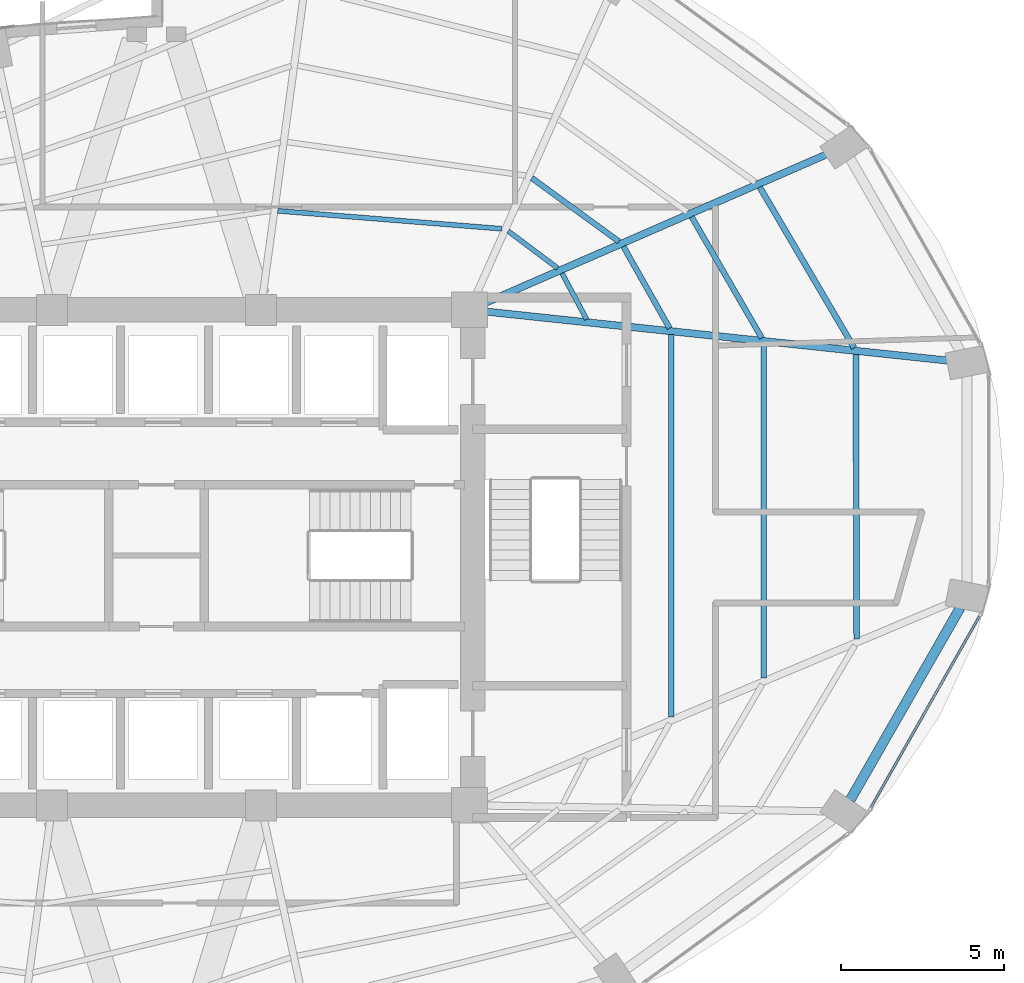
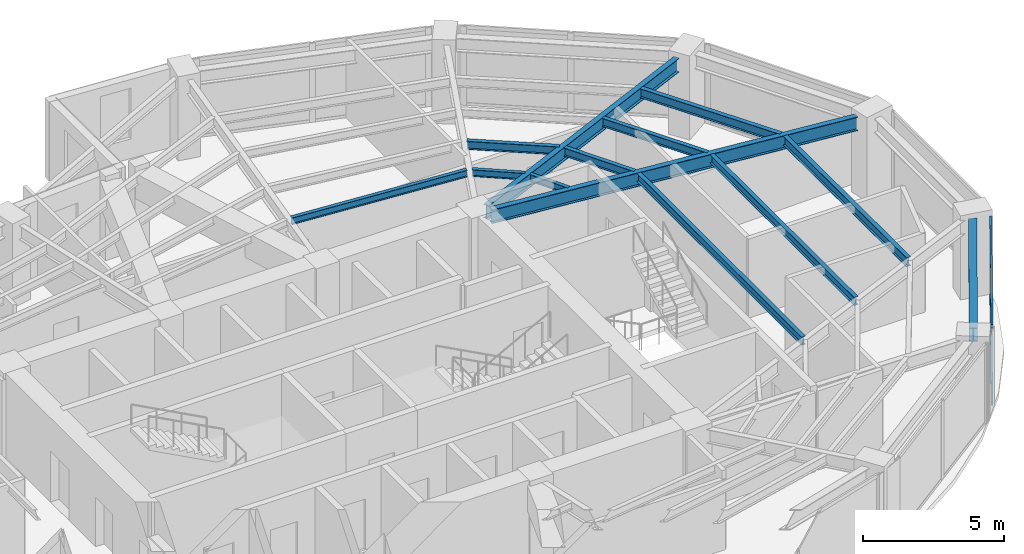
# One storey, part 12 of 23: 13 beams, 2 members, 1 element without a shape of its own.
"""IFC4 building model written with IfcOpenShell, lengths in metres."""

import ifcopenshell
import ifcopenshell.guid

model = None  # the IFC model being written
_history = None  # IfcOwnerHistory: only IFC2X3 demands one
_inside = {}  # id of a spatial element -> (the spatial element, [elements in it])
_under = {}  # id of a project, library or spatial element -> (it, [spatial elements below it])
_declared = {}  # id of a project -> (the project, [libraries it declares])
_typed = {}  # id of a type object -> (the type object, [elements of that type])
_made_of = {}  # id of a material, layer set ... -> (it, [elements and type objects made of it])


def new_model(schema):
    """Start an empty IFC model of exactly this schema.

    Asked for "IFC4X3", IfcOpenShell would pick the latest addendum, in which some entities
    have other attributes; the version numbers below select the first issue.
    IFC2X3 requires an IfcOwnerHistory on every rooted entity: one is made here for all.
    """
    global model, _history
    if schema == "IFC4X3":
        model = ifcopenshell.file(schema_version=(4, 3, 0, 0))
    else:
        model = ifcopenshell.file(schema=schema)
    _inside.clear()
    _under.clear()
    _declared.clear()
    _typed.clear()
    _made_of.clear()
    _history = None
    if model.schema == "IFC2X3":
        org = make("IfcOrganization", Name="unknown")
        user = make(
            "IfcPersonAndOrganization",
            ThePerson=make("IfcPerson", FamilyName="unknown"),
            TheOrganization=org,
        )
        app = make(
            "IfcApplication",
            ApplicationDeveloper=org,
            Version="unknown",
            ApplicationFullName="unknown",
            ApplicationIdentifier="unknown",
        )
        _history = make(
            "IfcOwnerHistory",
            OwningUser=user,
            OwningApplication=app,
            ChangeAction="ADDED",
            CreationDate=0,
        )
    return model


def make(cls, **values):
    """One entity of the class cls with the attributes given. An attribute that is None is left unset."""
    return model.create_entity(
        cls, **{name: value for name, value in values.items() if value is not None}
    )


def rooted(cls, **values):
    """An entity with a GlobalId (a new one), such as an element, a storey or a relation."""
    return make(cls, GlobalId=ifcopenshell.guid.new(), OwnerHistory=_history, **values)


def si_unit(unit_type, name, prefix=None):
    """IfcSIUnit, for example si_unit("LENGTHUNIT", "METRE", prefix="MILLI")."""
    return make("IfcSIUnit", UnitType=unit_type, Prefix=prefix, Name=name)


def assignment(units):
    """IfcUnitAssignment: the units of a project."""
    return None if units is None else make("IfcUnitAssignment", Units=units)


def point(xyz):
    """IfcCartesianPoint."""
    return None if xyz is None else make("IfcCartesianPoint", Coordinates=xyz)


def direction(xyz):
    """IfcDirection."""
    return None if xyz is None else make("IfcDirection", DirectionRatios=xyz)


def frame(location, z_axis=None, x_axis=None):
    """IfcAxis2Placement3D, a coordinate frame: its origin and axes. An axis left out is left unset."""
    return make(
        "IfcAxis2Placement3D",
        Location=point(location),
        Axis=direction(z_axis),
        RefDirection=direction(x_axis),
    )


def frame_2d(location, x_axis=None):
    """IfcAxis2Placement2D, a coordinate frame in the plane: its origin and x axis."""
    return make(
        "IfcAxis2Placement2D", Location=point(location), RefDirection=direction(x_axis)
    )


def origin():
    """The frame at (0, 0, 0) with its axes left unset."""
    return frame((0.0, 0.0, 0.0))


def origin_2d():
    """The frame at (0, 0) in the plane with its x axis left unset."""
    return frame_2d((0.0, 0.0))


def place(relative_to, where):
    """IfcLocalPlacement: puts the frame where relative to a parent placement (None: the world)."""
    return make(
        "IfcLocalPlacement", PlacementRelTo=relative_to, RelativePlacement=where
    )


def context(
    kind, dimensions, precision=None, world=None, true_north=None, identifier=None
):
    """IfcGeometricRepresentationContext, for example the 3D "Model" context."""
    return make(
        "IfcGeometricRepresentationContext",
        ContextIdentifier=identifier,
        ContextType=kind,
        CoordinateSpaceDimension=dimensions,
        Precision=precision,
        WorldCoordinateSystem=world,
        TrueNorth=true_north,
    )


def subcontext(parent, identifier, kind, view, scale=None):
    """IfcGeometricRepresentationSubContext, for example "Body" below "Model"."""
    return make(
        "IfcGeometricRepresentationSubContext",
        ContextIdentifier=identifier,
        ContextType=kind,
        ParentContext=parent,
        TargetScale=scale,
        TargetView=view,
    )


def project(units=None, contexts=None):
    """IfcProject with its units and contexts."""
    return rooted(
        "IfcProject",
        Name="project",
        RepresentationContexts=contexts,
        UnitsInContext=assignment(units),
    )


def spatial(cls, under=None, at=None, **own):
    """A site, building, storey or space (cls), placed at a placement, below another one or the project."""
    s = rooted(cls, ObjectPlacement=at, **own)
    if under is not None:
        _under.setdefault(under.id(), (under, []))[1].append(s)
    return s


def profile(cls, at=None, kind="AREA", **sizes):
    """A parametric profile (cls). Its sizes go by their IFC names, for example OverallWidth=200.0."""
    return make(cls, ProfileType=kind, Position=at, **sizes)


def hollow_rectangle(**sizes):
    """IfcRectangleHollowProfileDef."""
    return profile("IfcRectangleHollowProfileDef", **sizes)


def i_section(**sizes):
    """IfcIShapeProfileDef."""
    return profile("IfcIShapeProfileDef", **sizes)


def extrude(swept, where, along, depth):
    """IfcExtrudedAreaSolid: the profile swept, set in the frame where, extruded along a direction by depth."""
    return make(
        "IfcExtrudedAreaSolid",
        SweptArea=swept,
        Position=where,
        ExtrudedDirection=direction(along),
        Depth=depth,
    )


def shape(context_of_items, identifier, shape_type, items):
    """IfcShapeRepresentation: the items that make up one representation, for example the "Body"."""
    return make(
        "IfcShapeRepresentation",
        ContextOfItems=context_of_items,
        RepresentationIdentifier=identifier,
        RepresentationType=shape_type,
        Items=items,
    )


def material(Name=None, Category=None):
    """IfcMaterial."""
    return make("IfcMaterial", Name=Name, Category=Category)


def layer(
    of_material, thickness, ventilated=None, Name=None, Category=None, Priority=None
):
    """IfcMaterialLayer: one layer of a wall or slab, of a material (None: an air gap)."""
    return make(
        "IfcMaterialLayer",
        Material=of_material,
        LayerThickness=thickness,
        IsVentilated=ventilated,
        Name=Name,
        Category=Category,
        Priority=Priority,
    )


def layer_set(layers, Name=None):
    """IfcMaterialLayerSet."""
    return make("IfcMaterialLayerSet", MaterialLayers=layers, LayerSetName=Name)


def material_profile(
    of_material, cross_section, Name=None, Category=None, Priority=None
):
    """IfcMaterialProfile: a cross section and its material."""
    return make(
        "IfcMaterialProfile",
        Name=Name,
        Material=of_material,
        Profile=cross_section,
        Priority=Priority,
        Category=Category,
    )


def profile_set(profiles, Name=None, composite=None):
    """IfcMaterialProfileSet."""
    return make(
        "IfcMaterialProfileSet",
        Name=Name,
        MaterialProfiles=profiles,
        CompositeProfile=composite,
    )


def made_of(thing, what):
    """Note that an element or type object is made of a material, layer set ...; save() writes the relation."""
    if what is not None:
        _made_of.setdefault(what.id(), (what, []))[1].append(thing)
    return thing


def type_object(cls, material=None, **own):
    """A type object (cls), such as IfcWallType, which elements share."""
    return made_of(rooted(cls, **own), material)


def element(
    cls,
    number,
    at=None,
    inside=None,
    cuts=None,
    type_object=None,
    material=None,
    context=None,
    identifier="Body",
    shape_type=None,
    held_by="IfcProductDefinitionShape",
    body=None,
    shapes=None,
    **own,
):
    """One element of the class cls, such as IfcWall. Its Tag is "e" and its number.

    at: its placement. inside: the storey or other place that contains it. cuts: it is an
    opening in that element (IfcRelVoidsElement). A single representation is given by context,
    identifier, shape_type and body (its items); several are given by shapes. held_by: the class
    of the entity that holds the representations. save() writes the other relations.
    """
    e = rooted(cls, Tag="e%d" % number, ObjectPlacement=at, **own)
    if body is not None:
        shapes = [shape(context, identifier, shape_type, body)]
    if shapes is not None:
        e.Representation = make(held_by, Representations=shapes)
    if inside is not None:
        _inside.setdefault(inside.id(), (inside, []))[1].append(e)
    if cuts is not None:
        rooted(
            "IfcRelVoidsElement", RelatingBuildingElement=cuts, RelatedOpeningElement=e
        )
    if type_object is not None:
        _typed.setdefault(type_object.id(), (type_object, []))[1].append(e)
    return made_of(e, material)


def aggregate(whole, parts):
    """IfcRelAggregates: a whole, such as a stair, and the parts it consists of."""
    return rooted("IfcRelAggregates", RelatingObject=whole, RelatedObjects=parts)


def save(model, path):
    """Write the relations noted so far, then the file.

    IfcRelAggregates (storeys below a building ...), IfcRelContainedInSpatialStructure (elements
    in a storey), IfcRelDefinesByType, IfcRelAssociatesMaterial and IfcRelDeclares: one each for
    every whole, place, type object, material and project.
    """
    for whole, parts in _under.values():
        aggregate(whole, parts)
    for where, things in _inside.values():
        rooted(
            "IfcRelContainedInSpatialStructure",
            RelatedElements=things,
            RelatingStructure=where,
        )
    for kind, things in _typed.values():
        rooted("IfcRelDefinesByType", RelatedObjects=things, RelatingType=kind)
    for what, things in _made_of.values():
        rooted("IfcRelAssociatesMaterial", RelatedObjects=things, RelatingMaterial=what)
    for by, libraries in _declared.values():
        rooted("IfcRelDeclares", RelatingContext=by, RelatedDefinitions=libraries)
    model.write(path)


model = new_model("IFC4")

# Units and contexts
model_context = context("Model", 3, precision=1e-05, world=origin(), true_north=direction((0.0, 1.0)))
body_context = subcontext(model_context, "Body", "Model", "MODEL_VIEW")
ifc_project = project(units=[si_unit("LENGTHUNIT", "METRE"), si_unit("AREAUNIT", "SQUARE_METRE"), si_unit("VOLUMEUNIT", "CUBIC_METRE"), si_unit("PLANEANGLEUNIT", "RADIAN"), si_unit("MASSUNIT", "GRAM", prefix="KILO")], contexts=[model_context])

# Site, building, storey
site_placement = place(None, origin())
site = spatial("IfcSite", under=ifc_project, at=site_placement, CompositionType="ELEMENT")
building_placement = place(site_placement, origin())
building = spatial("IfcBuilding", under=site, at=building_placement, Name="Lazwardi Medical Tower", CompositionType="ELEMENT")
storey_placement = place(building_placement, frame((0.0, 0.0, 125.52001953125)))
storey = spatial("IfcBuildingStorey", under=building, at=storey_placement, Name="L32", CompositionType="ELEMENT", Elevation=125.52001953125)

# Beams
ifc_material_1 = material(Name="Steel S355", Category="steel")
ifc_material_profile_1 = material_profile(ifc_material_1, i_section(OverallWidth=0.300048828125, OverallDepth=0.60009765625, WebThickness=0.015380859375, FlangeThickness=0.030029296875, at=origin_2d()), Name="HEB 600")
ifc_profile_set_1 = profile_set([ifc_material_profile_1], Name="Steel S355")
beam_type_1 = type_object("IfcBeamType", Name="BM-RB-Z2", PredefinedType="BEAM", material=ifc_profile_set_1)
beam_1_placement = place(storey_placement, frame((57.281494140625, 20.561279296875, 3.1279296875), z_axis=(0.496653025517, 0.867949176072, 0.0), x_axis=(-0.867949176072, 0.496653025517, 0.0)))
element("IfcBeam", 1, at=beam_1_placement, inside=storey, type_object=beam_type_1, Name="Ring beam RB-03 B03 L32", PredefinedType="BEAM", context=body_context, shape_type="SweptSolid", body=[
    extrude(i_section(OverallWidth=0.300048828125, OverallDepth=0.60009765625, WebThickness=0.015380859375, FlangeThickness=0.030029296875, at=origin_2d()), origin(), (0.0, 0.0, 1.0), 6.80078125),
])
ifc_material_profile_2 = material_profile(ifc_material_1, i_section(OverallWidth=0.219970703125, OverallDepth=0.60009765625, WebThickness=0.011962890625, FlangeThickness=0.01904296875, at=origin_2d()), Name="IPE 600")
ifc_profile_set_2 = profile_set([ifc_material_profile_2], Name="Steel S355")
beam_type_2 = type_object("IfcBeamType", Name="BM-RG-W1", PredefinedType="BEAM", material=ifc_profile_set_2)
beam_2_placement = place(storey_placement, frame((60.2861328125, 34.041015625, 3.1279296875), z_axis=(-0.994413340753, 0.10555618282, 0.0), x_axis=(-0.10555618282, -0.994413340753, 0.0)))
element("IfcBeam", 2, at=beam_2_placement, inside=storey, type_object=beam_type_2, Name="Radial girder RG-02 R05 L32", PredefinedType="BEAM", context=body_context, shape_type="SweptSolid", body=[
    extrude(i_section(OverallWidth=0.219970703125, OverallDepth=0.60009765625, WebThickness=0.011962890625, FlangeThickness=0.01904296875, at=origin_2d()), origin(), (0.0, 0.0, 1.0), 14.233642578125),
])
beam_3_placement = place(storey_placement, frame((56.5458984375, 40.36328125, 3.1279296875), z_axis=(-0.916941336121, -0.399022037127, 0.0), x_axis=(0.399022037127, -0.916941336121, 0.0)))
element("IfcBeam", 3, at=beam_3_placement, inside=storey, type_object=beam_type_2, Name="Radial girder RG-02 R06 L32", PredefinedType="BEAM", context=body_context, shape_type="SweptSolid", body=[
    extrude(i_section(OverallWidth=0.219970703125, OverallDepth=0.60009765625, WebThickness=0.011962890625, FlangeThickness=0.01904296875, at=origin_2d()), origin(), (0.0, 0.0, 1.0), 11.40234375),
])
ifc_material_profile_3 = material_profile(ifc_material_1, i_section(OverallWidth=0.179931640625, OverallDepth=0.39990234375, WebThickness=0.008544921875, FlangeThickness=0.013427734375, at=origin_2d()), Name="IPE 400")
ifc_profile_set_3 = profile_set([ifc_material_profile_3], Name="Steel S355")
beam_type_3 = type_object("IfcBeamType", Name="BM-SJ-01", PredefinedType="JOIST", material=ifc_profile_set_3)
beam_4_placement = place(storey_placement, frame((57.48095703125, 25.502685546875, 3.22802734375), z_axis=(-0.002907126978, 0.999995774297, 0.0), x_axis=(-0.999995774297, -0.002907126978, 0.0)))
element("IfcBeam", 4, at=beam_4_placement, inside=storey, type_object=beam_type_3, Name="Secondary joist SJ-01 R1 B04 L32", PredefinedType="JOIST", context=body_context, shape_type="SweptSolid", body=[
    extrude(i_section(OverallWidth=0.179931640625, OverallDepth=0.39990234375, WebThickness=0.008544921875, FlangeThickness=0.013427734375, at=origin_2d()), origin(), (0.0, 0.0, 1.0), 8.73388671875),
])
beam_5_placement = place(storey_placement, frame((57.402099609375, 34.43212890625, 3.22802734375), z_axis=(-0.506195045201, 0.862419025888, 0.0), x_axis=(-0.862419025888, -0.506195045201, 0.0)))
element("IfcBeam", 5, at=beam_5_placement, inside=storey, type_object=beam_type_3, Name="Secondary joist SJ-01 R1 B05 L32", PredefinedType="JOIST", context=body_context, shape_type="SweptSolid", body=[
    extrude(i_section(OverallWidth=0.179931640625, OverallDepth=0.39990234375, WebThickness=0.008544921875, FlangeThickness=0.013427734375, at=origin_2d()), origin(), (0.0, 0.0, 1.0), 5.71728515625),
])
ifc_material_profile_4 = material_profile(ifc_material_1, i_section(OverallWidth=0.169921875, OverallDepth=0.360107421875, WebThickness=0.008056640625, FlangeThickness=0.0126953125, at=origin_2d()), Name="IPE 360")
ifc_profile_set_4 = profile_set([ifc_material_profile_4], Name="Steel S355")
beam_type_4 = type_object("IfcBeamType", Name="BM-SJ-02", PredefinedType="JOIST", material=ifc_profile_set_4)
beam_6_placement = place(storey_placement, frame((54.634033203125, 24.30517578125, 3.248046875), z_axis=(-0.000930565095, 0.999999567024, 0.0), x_axis=(-0.999999567024, -0.000930565095, 0.0)))
element("IfcBeam", 6, at=beam_6_placement, inside=storey, type_object=beam_type_4, Name="Secondary joist SJ-02 R2 B04 L32", PredefinedType="JOIST", context=body_context, shape_type="SweptSolid", body=[
    extrude(i_section(OverallWidth=0.169921875, OverallDepth=0.360107421875, WebThickness=0.008056640625, FlangeThickness=0.0126953125, at=origin_2d()), origin(), (0.0, 0.0, 1.0), 10.23193359375),
])
beam_7_placement = place(storey_placement, frame((54.57177734375, 34.73291015625, 3.248046875), z_axis=(-0.501365325212, 0.865235696602, 0.0), x_axis=(-0.865235696602, -0.501365325212, 0.0)))
element("IfcBeam", 7, at=beam_7_placement, inside=storey, type_object=beam_type_4, Name="Secondary joist SJ-02 R2 B05 L32", PredefinedType="JOIST", context=body_context, shape_type="SweptSolid", body=[
    extrude(i_section(OverallWidth=0.169921875, OverallDepth=0.360107421875, WebThickness=0.008056640625, FlangeThickness=0.0126953125, at=origin_2d()), origin(), (0.0, 0.0, 1.0), 4.298828125),
])
beam_8_placement = place(storey_placement, frame((51.787109375, 23.107421875, 3.248046875), z_axis=(0.000561961365, 0.9999998421, 0.0), x_axis=(-0.9999998421, 0.000561961365, 0.0)))
element("IfcBeam", 8, at=beam_8_placement, inside=storey, type_object=beam_type_4, Name="Secondary joist SJ-02 R3 B04 L32", PredefinedType="JOIST", context=body_context, shape_type="SweptSolid", body=[
    extrude(i_section(OverallWidth=0.169921875, OverallDepth=0.360107421875, WebThickness=0.008056640625, FlangeThickness=0.0126953125, at=origin_2d()), origin(), (0.0, 0.0, 1.0), 11.72998046875),
])
beam_9_placement = place(storey_placement, frame((51.741943359375, 35.033935546875, 3.248046875), z_axis=(-0.492026539517, 0.870580199873, 0.0), x_axis=(-0.870580199873, -0.492026539517, 0.0)))
element("IfcBeam", 9, at=beam_9_placement, inside=storey, type_object=beam_type_4, Name="Secondary joist SJ-02 R3 B05 L32", PredefinedType="JOIST", context=body_context, shape_type="SweptSolid", body=[
    extrude(i_section(OverallWidth=0.169921875, OverallDepth=0.360107421875, WebThickness=0.008056640625, FlangeThickness=0.0126953125, at=origin_2d()), origin(), (0.0, 0.0, 1.0), 2.880859375),
])
beam_10_placement = place(storey_placement, frame((50.18798828125, 37.6953125, 3.248046875), z_axis=(-0.808301737247, 0.588768461761, 0.0), x_axis=(-0.588768461761, -0.808301737247, 0.0)))
element("IfcBeam", 10, at=beam_10_placement, inside=storey, type_object=beam_type_4, Name="Secondary joist SJ-02 R3 B06 L32", PredefinedType="JOIST", context=body_context, shape_type="SweptSolid", body=[
    extrude(i_section(OverallWidth=0.169921875, OverallDepth=0.360107421875, WebThickness=0.008056640625, FlangeThickness=0.0126953125, at=origin_2d()), origin(), (0.0, 0.0, 1.0), 3.307373046875),
])
ifc_material_profile_5 = material_profile(ifc_material_1, i_section(OverallWidth=0.14990234375, OverallDepth=0.300048828125, WebThickness=0.007080078125, FlangeThickness=0.0107421875, at=origin_2d()), Name="IPE 300")
ifc_profile_set_5 = profile_set([ifc_material_profile_5], Name="Steel S355")
beam_type_5 = type_object("IfcBeamType", Name="BM-SJ-03", PredefinedType="JOIST", material=ifc_profile_set_5)
beam_11_placement = place(storey_placement, frame((49.1962890625, 35.3056640625, 3.278076171875), z_axis=(-0.471022344925, 0.882121278839, 0.0), x_axis=(-0.882121278839, -0.471022344925, 0.0)))
element("IfcBeam", 11, at=beam_11_placement, inside=storey, type_object=beam_type_5, Name="Secondary joist SJ-03 R4 B05 L32", PredefinedType="JOIST", context=body_context, shape_type="SweptSolid", body=[
    extrude(i_section(OverallWidth=0.14990234375, OverallDepth=0.300048828125, WebThickness=0.007080078125, FlangeThickness=0.0107421875, at=origin_2d()), origin(), (0.0, 0.0, 1.0), 1.605224609375),
])
beam_12_placement = place(storey_placement, frame((48.306640625, 36.87744140625, 3.278076171875), z_axis=(-0.800447687995, 0.599402618265, 0.0), x_axis=(-0.599402618265, -0.800447687995, 0.0)))
element("IfcBeam", 12, at=beam_12_placement, inside=storey, type_object=beam_type_5, Name="Secondary joist SJ-03 R4 B06 L32", PredefinedType="JOIST", context=body_context, shape_type="SweptSolid", body=[
    extrude(i_section(OverallWidth=0.14990234375, OverallDepth=0.300048828125, WebThickness=0.007080078125, FlangeThickness=0.0107421875, at=origin_2d()), origin(), (0.0, 0.0, 1.0), 1.896728515625),
])
beam_13_placement = place(storey_placement, frame((46.599609375, 38.085693359375, 3.278076171875), z_axis=(-0.996816178299, 0.079733974445, 0.0), x_axis=(-0.079733974445, -0.996816178299, 0.0)))
element("IfcBeam", 13, at=beam_13_placement, inside=storey, type_object=beam_type_5, Name="Secondary joist SJ-03 R4 B07 L32", PredefinedType="JOIST", context=body_context, shape_type="SweptSolid", body=[
    extrude(i_section(OverallWidth=0.14990234375, OverallDepth=0.300048828125, WebThickness=0.007080078125, FlangeThickness=0.0107421875, at=origin_2d()), origin(), (0.0, 0.0, 1.0), 6.901611328125),
])

# Curtain wall, members
ifc_material_2 = material(Name="Anodised bronze aluminium and solar control glazing", Category="aluminium")
ifc_layer = layer(ifc_material_2, 0.195068359375)
ifc_layer_set = layer_set([ifc_layer], Name="Anodised bronze aluminium and solar control glazing")
curtain_wall_type = type_object("IfcCurtainWallType", Name="CW-SYS-03", PredefinedType="NOTDEFINED", material=ifc_layer_set)
curtain_wall_placement = place(storey_placement, origin())
curtain_wall = element("IfcCurtainWall", 14, at=curtain_wall_placement, inside=storey, type_object=curtain_wall_type, Name="L32 Unitised bronze curtain wall CW-03", PredefinedType="NOTDEFINED")
ifc_material_3 = material(Name="Anodised bronze aluminium", Category="aluminium")
ifc_material_profile_6 = material_profile(ifc_material_3, hollow_rectangle(XDim=0.074951171875, YDim=0.159912109375, WallThickness=0.00390625, at=origin_2d()), Name="ALU-TRANSOM 160x75x4")
ifc_profile_set_6 = profile_set([ifc_material_profile_6], Name="Anodised bronze aluminium")
member_type = type_object("IfcMemberType", Name="CW-TRN-01", PredefinedType="USERDEFINED", material=ifc_profile_set_6)
member_1_placement = place(storey_placement, frame((57.925537109375, 20.3466796875, 0.03759765625), z_axis=(0.493614427365, 0.869680859337, 0.0), x_axis=(-0.869680859337, 0.493614427365, 0.0)))
member_1 = element("IfcMember", 15, at=member_1_placement, type_object=member_type, Name="CW-03 transom 1.1", ObjectType="TRANSOM", PredefinedType="USERDEFINED", context=body_context, shape_type="SweptSolid", body=[
    extrude(hollow_rectangle(XDim=0.074951171875, YDim=0.159912109375, WallThickness=0.00390625, at=origin_2d()), origin(), (0.0, 0.0, 1.0), 6.72314453125),
])
member_2_placement = place(storey_placement, frame((57.925537109375, 20.3466796875, 3.390380859375), z_axis=(0.493614427365, 0.869680859337, 0.0), x_axis=(-0.869680859337, 0.493614427365, 0.0)))
member_2 = element("IfcMember", 16, at=member_2_placement, type_object=member_type, Name="CW-03 transom 1.2", ObjectType="TRANSOM", PredefinedType="USERDEFINED", context=body_context, shape_type="SweptSolid", body=[
    extrude(hollow_rectangle(XDim=0.074951171875, YDim=0.159912109375, WallThickness=0.00390625, at=origin_2d()), origin(), (0.0, 0.0, 1.0), 6.72314453125),
])
aggregate(curtain_wall, [member_1, member_2])

save(model, "model.ifc")
